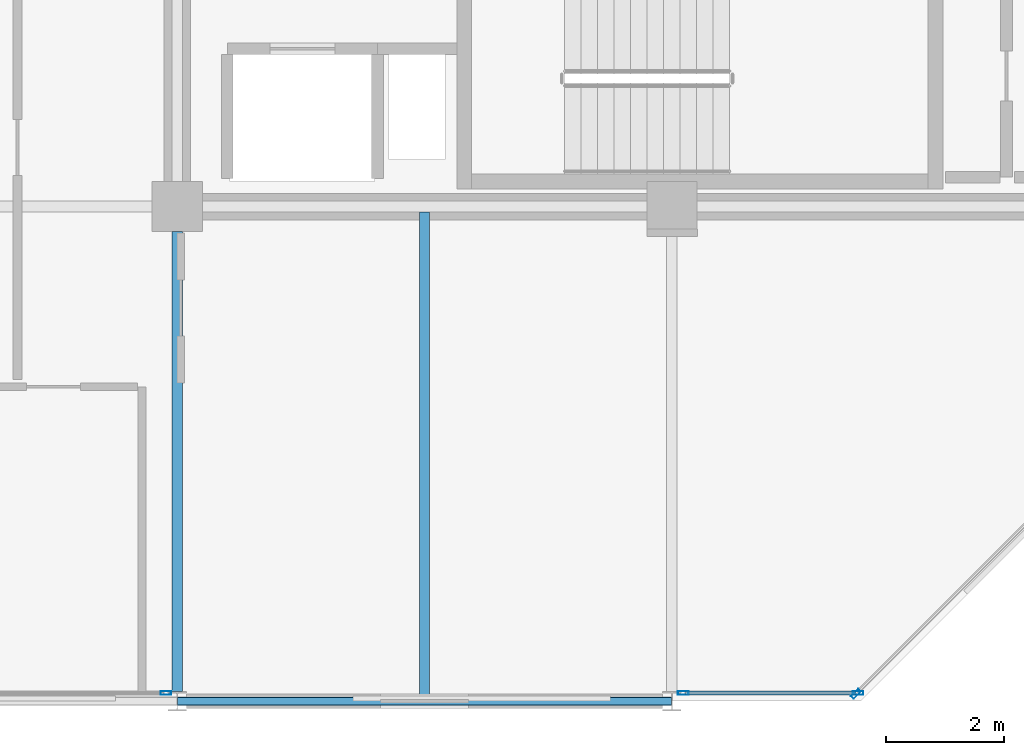
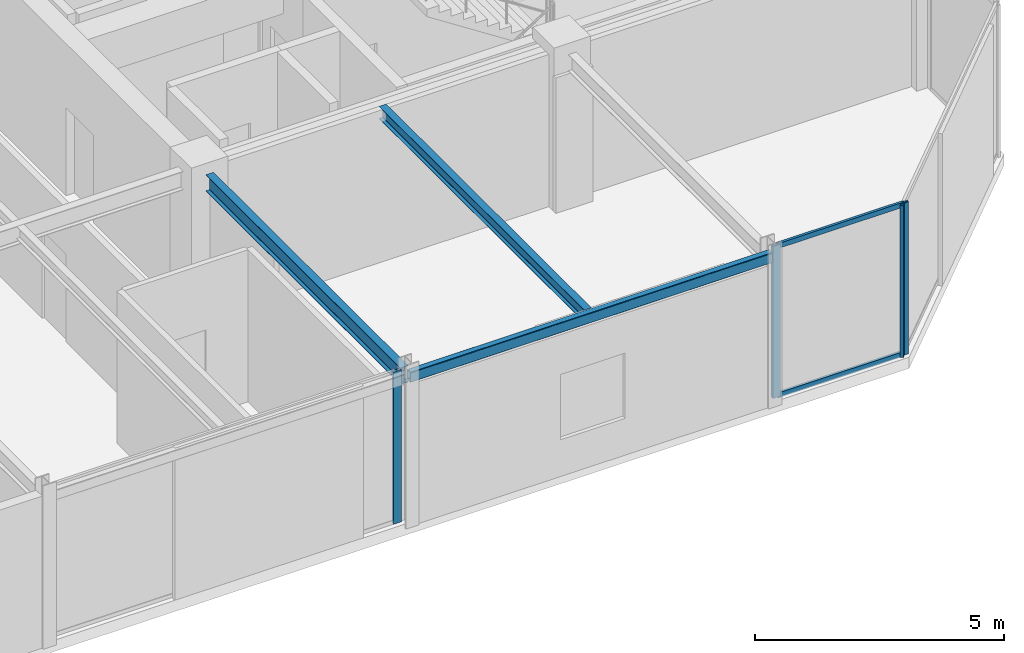
# One storey, part 7 of 24: 6 members, 3 beams, 3 elements without a shape of their own.
"""IFC4 building model written with IfcOpenShell, lengths in metres."""

from ifc_helpers import new_model, si_unit, direction, frame, origin, origin_2d, place, context, subcontext, project, spatial, hollow_rectangle, i_section, extrude, material, layer, layer_set, material_profile, profile_set, type_object, element, aggregate, save


model = new_model("IFC4")

# Units and contexts
model_context = context("Model", 3, precision=1e-05, world=origin(), true_north=direction((0.0, 1.0)))
body_context = subcontext(model_context, "Body", "Model", "MODEL_VIEW")
ifc_project = project(units=[si_unit("LENGTHUNIT", "METRE"), si_unit("AREAUNIT", "SQUARE_METRE"), si_unit("VOLUMEUNIT", "CUBIC_METRE"), si_unit("PLANEANGLEUNIT", "RADIAN"), si_unit("MASSUNIT", "GRAM", prefix="KILO")], contexts=[model_context])

# Site, building, storey
site_placement = place(None, origin())
site = spatial("IfcSite", under=ifc_project, at=site_placement, CompositionType="ELEMENT")
building_placement = place(site_placement, origin())
building = spatial("IfcBuilding", under=site, at=building_placement, Name="Nerrivon Quay Data Exchange", CompositionType="ELEMENT")
storey_placement = place(building_placement, frame((0.0, 0.0, 306.199951171875)))
storey = spatial("IfcBuildingStorey", under=building, at=storey_placement, Name="L73", CompositionType="ELEMENT", Elevation=306.199951171875)

# Beams
ifc_material_1 = material(Name="Steel Grade 350", Category="steel")
ifc_material_profile_1 = material_profile(ifc_material_1, i_section(OverallWidth=0.177978515625, OverallDepth=0.406005859375, WebThickness=0.0078125, FlangeThickness=0.0126953125, FilletRadius=0.011474609375, at=origin_2d()), Name="410UB59.7")
ifc_profile_set_1 = profile_set([ifc_material_profile_1], Name="Steel Grade 350")
beam_type_1 = type_object("IfcBeamType", Name="BM-J1-410UB60", PredefinedType="JOIST", material=ifc_profile_set_1)
beam_1_placement = place(storey_placement, frame((16.800048828125, 0.16357421875, 3.52197265625), z_axis=(0.0, 1.0, 0.0), x_axis=(-1.0, 0.0, 0.0)))
element("IfcBeam", 1, at=beam_1_placement, inside=storey, type_object=beam_type_1, Name="L73 NS Girder X=16.8 (0.0..8.4)", PredefinedType="JOIST", context=body_context, shape_type="SweptSolid", body=[
    extrude(i_section(OverallWidth=0.177978515625, OverallDepth=0.406005859375, WebThickness=0.0078125, FlangeThickness=0.0126953125, FilletRadius=0.011474609375, at=origin_2d()), origin(), (0.0, 0.0, 1.0), 7.8115234375),
])
ifc_material_profile_2 = material_profile(ifc_material_1, i_section(OverallWidth=0.1650390625, OverallDepth=0.303955078125, WebThickness=0.006103515625, FlangeThickness=0.01025390625, FilletRadius=0.011474609375, at=origin_2d()), Name="310UB40.4")
ifc_profile_set_2 = profile_set([ifc_material_profile_2], Name="Steel Grade 350")
beam_type_2 = type_object("IfcBeamType", Name="BM-J6-310UB40", PredefinedType="JOIST", material=ifc_profile_set_2)
beam_2_placement = place(storey_placement, frame((21.0, 0.074951171875, 3.572998046875), z_axis=(0.0, 1.0, 0.0), x_axis=(-1.0, 0.0, 0.0)))
element("IfcBeam", 2, at=beam_2_placement, inside=storey, type_object=beam_type_2, Name="L73 Secondary Joist X=21.0 (0.0..8.4)", PredefinedType="JOIST", context=body_context, shape_type="SweptSolid", body=[
    extrude(i_section(OverallWidth=0.1650390625, OverallDepth=0.303955078125, WebThickness=0.006103515625, FlangeThickness=0.01025390625, FilletRadius=0.011474609375, at=origin_2d()), origin(), (0.0, 0.0, 1.0), 8.22998046875),
])
ifc_material_2 = material(Name="Steel Grade C350L0 (350 MPa)", Category="steel")
ifc_material_profile_3 = material_profile(ifc_material_2, hollow_rectangle(XDim=0.14990234375, YDim=0.25, WallThickness=0.009033203125, InnerFilletRadius=0.013427734375, OuterFilletRadius=0.0224609375, at=origin_2d()), Name="250x150x9.0RHS")
ifc_profile_set_3 = profile_set([ifc_material_profile_3], Name="Steel Grade C350L0 (350 MPa)")
beam_type_3 = type_object("IfcBeamType", Name="BM-SP4-250x150RHS", PredefinedType="SPANDREL", material=ifc_profile_set_3)
beam_3_placement = place(storey_placement, frame((16.807861328125, 0.0, 3.60009765625), z_axis=(1.0, 0.0, 0.0), x_axis=(0.0, 1.0, 0.0)))
element("IfcBeam", 3, at=beam_3_placement, inside=storey, type_object=beam_type_3, Name="L73 EW Girder Y=0.0 (16.8..25.2)", PredefinedType="SPANDREL", context=body_context, shape_type="SweptSolid", body=[
    extrude(hollow_rectangle(XDim=0.14990234375, YDim=0.25, WallThickness=0.009033203125, InnerFilletRadius=0.013427734375, OuterFilletRadius=0.0224609375, at=origin_2d()), origin(), (0.0, 0.0, 1.0), 8.38427734375),
])

# Curtain wall, member
ifc_material_3 = material(Name="Anodised aluminium 6063-T6", Category="aluminium")
ifc_layer = layer(ifc_material_3, 0.195068359375)
ifc_layer_set = layer_set([ifc_layer], Name="Anodised aluminium 6063-T6")
curtain_wall_type = type_object("IfcCurtainWallType", Name="CW-SYS-06", PredefinedType="NOTDEFINED", material=ifc_layer_set)
curtain_wall_1_placement = place(storey_placement, origin())
curtain_wall_1 = element("IfcCurtainWall", 4, at=curtain_wall_1_placement, inside=storey, type_object=curtain_wall_type, Name="L73 Unitised Curtain Wall 1", PredefinedType="NOTDEFINED")
ifc_material_profile_4 = material_profile(ifc_material_3, hollow_rectangle(XDim=0.06494140625, YDim=0.179931640625, WallThickness=0.00341796875, at=origin_2d()), Name="ALU-MULL-180x65")
ifc_profile_set_4 = profile_set([ifc_material_profile_4], Name="Anodised aluminium 6063-T6")
member_type_1 = type_object("IfcMemberType", Name="CWM-180x65", PredefinedType="MULLION", material=ifc_profile_set_4)
member_1_placement = place(storey_placement, frame((28.32763671875, 0.12548828125, 0.0), z_axis=(0.0, 0.0, 1.0), x_axis=(0.707106781187, -0.707106781187, 0.0)))
member_1 = element("IfcMember", 5, at=member_1_placement, type_object=member_type_1, Name="CW06 mullion 2", PredefinedType="MULLION", context=body_context, shape_type="SweptSolid", body=[
    extrude(hollow_rectangle(XDim=0.06494140625, YDim=0.179931640625, WallThickness=0.00341796875, at=origin_2d()), origin(), (0.0, 0.0, 1.0), 3.72509765625),
])
aggregate(curtain_wall_1, [member_1])

# Curtain wall, members
curtain_wall_2_placement = place(storey_placement, origin())
curtain_wall_2 = element("IfcCurtainWall", 6, at=curtain_wall_2_placement, inside=storey, type_object=curtain_wall_type, Name="L73 Unitised Curtain Wall 2", PredefinedType="NOTDEFINED")
member_2_placement = place(storey_placement, frame((28.362548828125, 0.139892578125, 0.0), z_axis=(0.0, 0.0, 1.0), x_axis=(0.0, -1.0, 0.0)))
member_2 = element("IfcMember", 7, at=member_2_placement, type_object=member_type_1, Name="CW06 mullion 1", PredefinedType="MULLION", context=body_context, shape_type="SweptSolid", body=[
    extrude(hollow_rectangle(XDim=0.06494140625, YDim=0.179931640625, WallThickness=0.00341796875, at=origin_2d()), origin(), (0.0, 0.0, 1.0), 3.72509765625),
])
member_3_placement = place(storey_placement, frame((25.39306640625, 0.139892578125, 0.0), z_axis=(0.0, 0.0, 1.0), x_axis=(0.0, -1.0, 0.0)))
member_3 = element("IfcMember", 8, at=member_3_placement, type_object=member_type_1, Name="CW06 mullion 2", PredefinedType="MULLION", context=body_context, shape_type="SweptSolid", body=[
    extrude(hollow_rectangle(XDim=0.06494140625, YDim=0.179931640625, WallThickness=0.00341796875, at=origin_2d()), origin(), (0.0, 0.0, 1.0), 3.72509765625),
])

# Curtain wall, member
curtain_wall_3_placement = place(storey_placement, origin())
curtain_wall_3 = element("IfcCurtainWall", 9, at=curtain_wall_3_placement, inside=storey, type_object=curtain_wall_type, Name="L73 Unitised Curtain Wall 4", PredefinedType="NOTDEFINED")
member_4_placement = place(storey_placement, frame((16.60693359375, 0.139892578125, 0.0), z_axis=(0.0, 0.0, 1.0), x_axis=(0.0, -1.0, 0.0)))
member_4 = element("IfcMember", 10, at=member_4_placement, type_object=member_type_1, Name="CW06 mullion 1", PredefinedType="MULLION", context=body_context, shape_type="SweptSolid", body=[
    extrude(hollow_rectangle(XDim=0.06494140625, YDim=0.179931640625, WallThickness=0.00341796875, at=origin_2d()), origin(), (0.0, 0.0, 1.0), 3.72509765625),
])
aggregate(curtain_wall_3, [member_4])

# Member
ifc_material_profile_5 = material_profile(ifc_material_3, hollow_rectangle(XDim=0.06005859375, YDim=0.1201171875, WallThickness=0.003173828125, at=origin_2d()), Name="ALU-TRAN-120x60")
ifc_profile_set_5 = profile_set([ifc_material_profile_5], Name="Anodised aluminium 6063-T6")
member_type_2 = type_object("IfcMemberType", Name="CWT-120x60", PredefinedType="USERDEFINED", material=ifc_profile_set_5)
member_5_placement = place(storey_placement, frame((28.324951171875, 0.139892578125, 0.032470703125), z_axis=(-1.0, 0.0, 0.0), x_axis=(0.0, -1.0, 0.0)))
member_5 = element("IfcMember", 11, at=member_5_placement, type_object=member_type_2, Name="CW06 transom 1.1", ObjectType="TRANSOM", PredefinedType="USERDEFINED", context=body_context, shape_type="SweptSolid", body=[
    extrude(hollow_rectangle(XDim=0.06005859375, YDim=0.1201171875, WallThickness=0.003173828125, at=origin_2d()), origin(), (0.0, 0.0, 1.0), 2.89453125),
])

member_6_placement = place(storey_placement, frame((28.324951171875, 0.139892578125, 3.692626953125), z_axis=(-1.0, 0.0, 0.0), x_axis=(0.0, -1.0, 0.0)))
member_6 = element("IfcMember", 12, at=member_6_placement, type_object=member_type_2, Name="CW06 transom 1.2", ObjectType="TRANSOM", PredefinedType="USERDEFINED", context=body_context, shape_type="SweptSolid", body=[
    extrude(hollow_rectangle(XDim=0.06005859375, YDim=0.1201171875, WallThickness=0.003173828125, at=origin_2d()), origin(), (0.0, 0.0, 1.0), 2.89453125),
])

aggregate(curtain_wall_2, [member_2, member_3, member_5, member_6])

save(model, "model.ifc")
